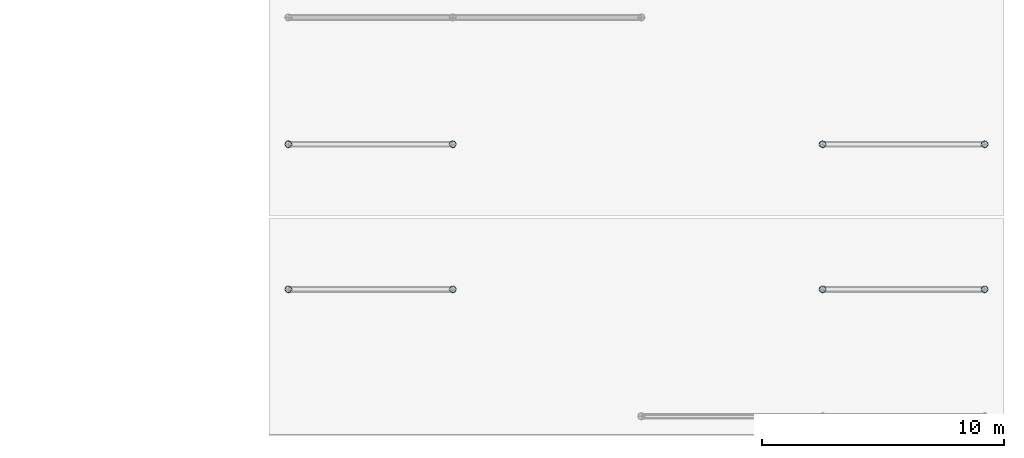
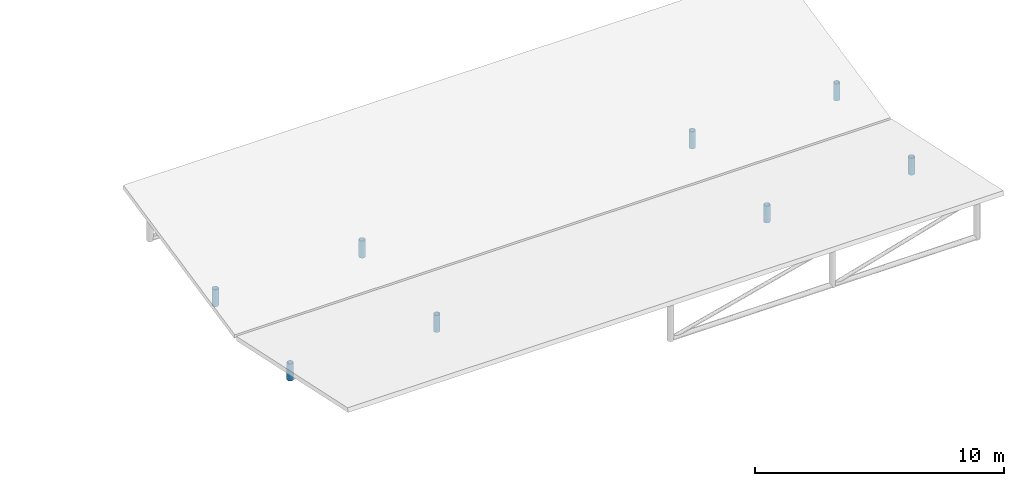
# One storey, part 16 of 146: 8 columns.
"""IFC4 building model written with IfcOpenShell, lengths in metres."""

from ifc_helpers import new_model, si_unit, direction, frame, origin, origin_2d, place, context, subcontext, project, spatial, hollow_circle, extrude, material, material_profile, profile_set, type_object, element, save


model = new_model("IFC4")

# Units and contexts
model_context = context("Model", 3, precision=1e-05, world=origin(), true_north=direction((0.0, 1.0)))
body_context = subcontext(model_context, "Body", "Model", "MODEL_VIEW")
ifc_project = project(units=[si_unit("LENGTHUNIT", "METRE"), si_unit("AREAUNIT", "SQUARE_METRE"), si_unit("VOLUMEUNIT", "CUBIC_METRE"), si_unit("PLANEANGLEUNIT", "RADIAN"), si_unit("MASSUNIT", "GRAM", prefix="KILO")], contexts=[model_context])

# Site, building, storey
site_placement = place(None, origin())
site = spatial("IfcSite", under=ifc_project, at=site_placement, CompositionType="ELEMENT")
building_placement = place(site_placement, origin())
building = spatial("IfcBuilding", under=site, at=building_placement, Name="Valcora Specialist Clinic", CompositionType="ELEMENT")
storey_placement = place(building_placement, frame((0.0, 0.0, 9.52001953125)))
storey = spatial("IfcBuildingStorey", under=building, at=storey_placement, Name="L02", CompositionType="ELEMENT", Elevation=9.52001953125)

# Columns
ifc_material = material(Name="Steel ASTM A500 Grade C", Category="steel")
ifc_material_profile = material_profile(ifc_material, hollow_circle(Radius=0.136474609375, WallThickness=0.011962890625, at=origin_2d()), Name="ST-CHS-273X12")
ifc_profile_set = profile_set([ifc_material_profile], Name="Steel ASTM A500 Grade C")
column_type = type_object("IfcColumnType", Name="TY-COL-CHS273", PredefinedType="COLUMN", material=ifc_profile_set)
for number, where, z_axis, x_axis, name in (
    (1, (132.39990234375, 44.0, 0.0), (0.0, 0.0, 1.0), (1.0, 0.0, 0.0), "Butterfly roof stub post 132.4-44.0"),
    (2, (139.199951171875, 44.0, 0.0), (0.0, 0.0, 1.0), (1.0, 0.0, 0.0), "Butterfly roof stub post 139.2-44.0"),
    (3, (154.5, 44.0, 0.0), (0.0, 0.0, 1.0), (1.0, 0.0, 0.0), "Butterfly roof stub post 154.5-44.0"),
    (4, (161.199951171875, 44.0, 0.0), (0.0, 0.0, 1.0), (1.0, 0.0, 0.0), "Butterfly roof stub post 161.2-44.0"),
    (5, (132.39990234375, 50.0, 0.0), (0.0, 0.0, 1.0), (1.0, 0.0, 0.0), "Butterfly roof stub post 132.4-50.0"),
    (6, (139.199951171875, 50.0, 0.0), (0.0, 0.0, 1.0), (1.0, 0.0, 0.0), "Butterfly roof stub post 139.2-50.0"),
    (7, (154.5, 50.0, 0.0), (0.0, 0.0, 1.0), (1.0, 0.0, 0.0), "Butterfly roof stub post 154.5-50.0"),
    (8, (161.199951171875, 50.0, 0.0), (0.0, 0.0, 1.0), (1.0, 0.0, 0.0), "Butterfly roof stub post 161.2-50.0"),
):
    element("IfcColumn", number, at=place(storey_placement, frame(where, z_axis=z_axis, x_axis=x_axis)), inside=storey, type_object=column_type, Name=name, PredefinedType="COLUMN", context=body_context, shape_type="SweptSolid", body=[
        extrude(hollow_circle(Radius=0.136474609375, WallThickness=0.011962890625, at=origin_2d()), origin(), (0.0, 0.0, 1.0), 0.834716796875),
    ])

save(model, "model.ifc")
